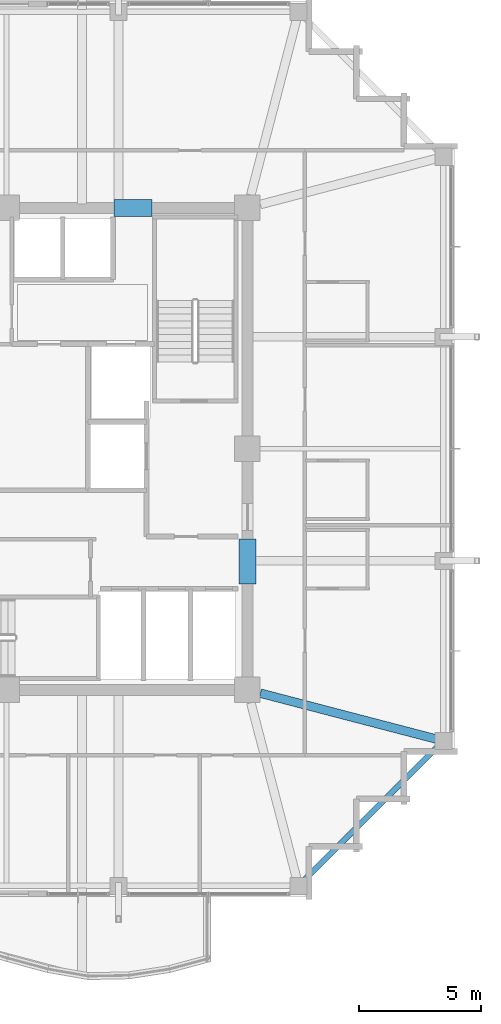
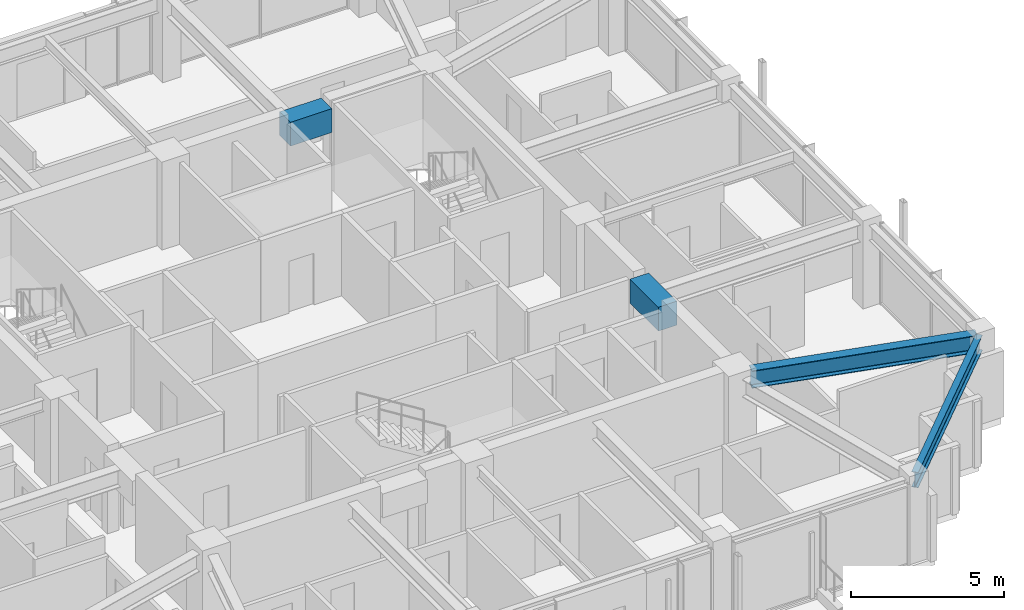
# One storey, part 10 of 31: 4 beams.
"""IFC4 building model written with IfcOpenShell, lengths in metres."""

from ifc_helpers import new_model, si_unit, direction, frame, origin, origin_2d, place, context, subcontext, project, spatial, rectangle, i_section, extrude, material, material_profile, profile_set, type_object, element, save


model = new_model("IFC4")

# Units and contexts
model_context = context("Model", 3, precision=1e-05, world=origin(), true_north=direction((0.0, 1.0)))
body_context = subcontext(model_context, "Body", "Model", "MODEL_VIEW")
ifc_project = project(units=[si_unit("LENGTHUNIT", "METRE"), si_unit("AREAUNIT", "SQUARE_METRE"), si_unit("VOLUMEUNIT", "CUBIC_METRE"), si_unit("PLANEANGLEUNIT", "RADIAN"), si_unit("MASSUNIT", "GRAM", prefix="KILO")], contexts=[model_context])

# Site, building, storey
site_placement = place(None, origin())
site = spatial("IfcSite", under=ifc_project, at=site_placement, CompositionType="ELEMENT")
building_placement = place(site_placement, origin())
building = spatial("IfcBuilding", under=site, at=building_placement, Name="Kolvaren Belvedere", CompositionType="ELEMENT")
storey_placement = place(building_placement, frame((0.0, 0.0, 247.89990234375)))
storey = spatial("IfcBuildingStorey", under=building, at=storey_placement, Name="L72", CompositionType="ELEMENT", Elevation=247.89990234375)

# Beams
ifc_material_1 = material(Name="Structural steel ASTM A992 Grade 50", Category="steel")
ifc_material_profile_1 = material_profile(ifc_material_1, i_section(OverallWidth=0.35498046875, OverallDepth=0.696044921875, WebThickness=0.015380859375, FlangeThickness=0.02490234375, FilletRadius=0.02197265625, at=origin_2d()), Name="W27X146")
ifc_profile_set_1 = profile_set([ifc_material_profile_1], Name="Structural steel ASTM A992 Grade 50")
beam_type_1 = type_object("IfcBeamType", Name="BM-GIRD-W27X146", PredefinedType="BEAM", material=ifc_profile_set_1)
beam_1_placement = place(storey_placement, frame((10.43212890625, -10.038818359375, 2.902099609375), z_axis=(0.967618631679, -0.25241668651, 0.0), x_axis=(0.25241668651, 0.967618631679, 0.0)))
element("IfcBeam", 1, at=beam_1_placement, inside=storey, type_object=beam_type_1, Name="L72 Corner Core-to-Perimeter Girder CC2-E1", PredefinedType="BEAM", context=body_context, shape_type="SweptSolid", body=[
    extrude(i_section(OverallWidth=0.35498046875, OverallDepth=0.696044921875, WebThickness=0.015380859375, FlangeThickness=0.02490234375, FilletRadius=0.02197265625, at=origin_2d()), origin(), (0.0, 0.0, 1.0), 7.62939453125),
])
ifc_material_2 = material(Name="Concrete C60/75", Category="concrete")
ifc_material_profile_2 = material_profile(ifc_material_2, rectangle(XDim=0.699951171875, YDim=0.949951171875, at=origin_2d()), Name="RC 700X950")
ifc_profile_set_2 = profile_set([ifc_material_profile_2], Name="Concrete C60/75")
beam_type_2 = type_object("IfcBeamType", Name="BM-LINT-950", PredefinedType="LINTEL", material=ifc_profile_set_2)
beam_2_placement = place(storey_placement, frame((4.419921875, 9.89990234375, 2.775146484375), z_axis=(1.0, 0.0, 0.0), x_axis=(0.0, 1.0, 0.0)))
element("IfcBeam", 2, at=beam_2_placement, inside=storey, type_object=beam_type_2, Name="L72 North Core Coupling Lintel", PredefinedType="LINTEL", context=body_context, shape_type="SweptSolid", body=[
    extrude(rectangle(XDim=0.699951171875, YDim=0.949951171875, at=origin_2d()), origin(), (0.0, 0.0, 1.0), 1.56005859375),
])
beam_3_placement = place(storey_placement, frame((9.89990234375, -5.550048828125, 2.775146484375), z_axis=(0.0, 1.0, 0.0), x_axis=(-1.0, 0.0, 0.0)))
element("IfcBeam", 3, at=beam_3_placement, inside=storey, type_object=beam_type_2, Name="L72 East Core Coupling Lintel", PredefinedType="LINTEL", context=body_context, shape_type="SweptSolid", body=[
    extrude(rectangle(XDim=0.699951171875, YDim=0.949951171875, at=origin_2d()), origin(), (0.0, 0.0, 1.0), 1.85009765625),
])
ifc_material_3 = material(Name="Structural steel ASTM A992 Grade 50", Category="steel")
ifc_material_profile_3 = material_profile(ifc_material_3, i_section(OverallWidth=0.22900390625, OverallDepth=0.612060546875, WebThickness=0.011962890625, FlangeThickness=0.01953125, FilletRadius=0.01806640625, at=origin_2d()), Name="W24X84")
ifc_profile_set_3 = profile_set([ifc_material_profile_3], Name="Structural steel ASTM A992 Grade 50")
beam_type_3 = type_object("IfcBeamType", Name="BM-SPAN-W24X84", PredefinedType="SPANDREL", material=ifc_profile_set_3)
beam_4_placement = place(storey_placement, frame((12.111328125, -17.838623046875, 2.944091796875), z_axis=(0.707106781187, 0.707106781187, 0.0), x_axis=(-0.707106781187, 0.707106781187, 0.0)))
element("IfcBeam", 4, at=beam_4_placement, inside=storey, type_object=beam_type_3, Name="L72 Perimeter Spandrel S4-E1", PredefinedType="SPANDREL", context=body_context, shape_type="SweptSolid", body=[
    extrude(i_section(OverallWidth=0.22900390625, OverallDepth=0.612060546875, WebThickness=0.011962890625, FlangeThickness=0.01953125, FilletRadius=0.01806640625, at=origin_2d()), origin(), (0.0, 0.0, 1.0), 8.099609375),
])

save(model, "model.ifc")
